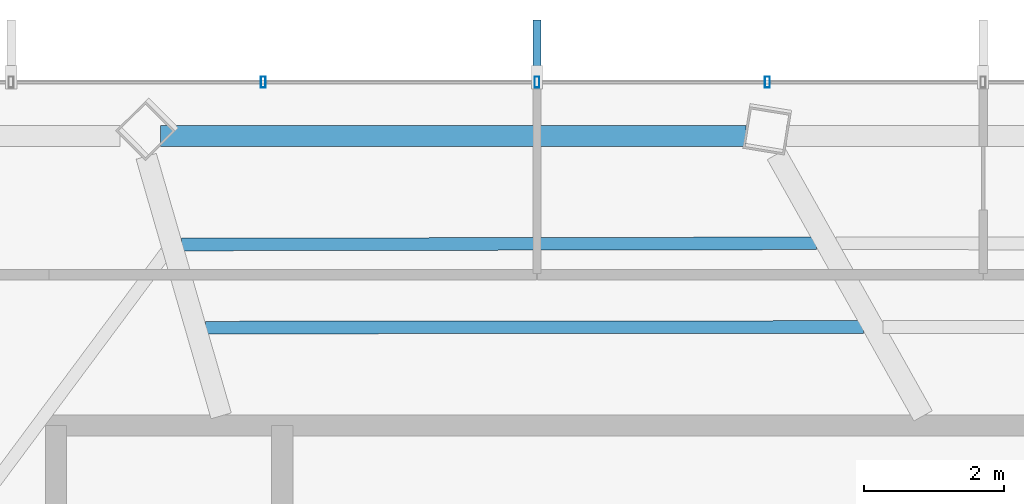
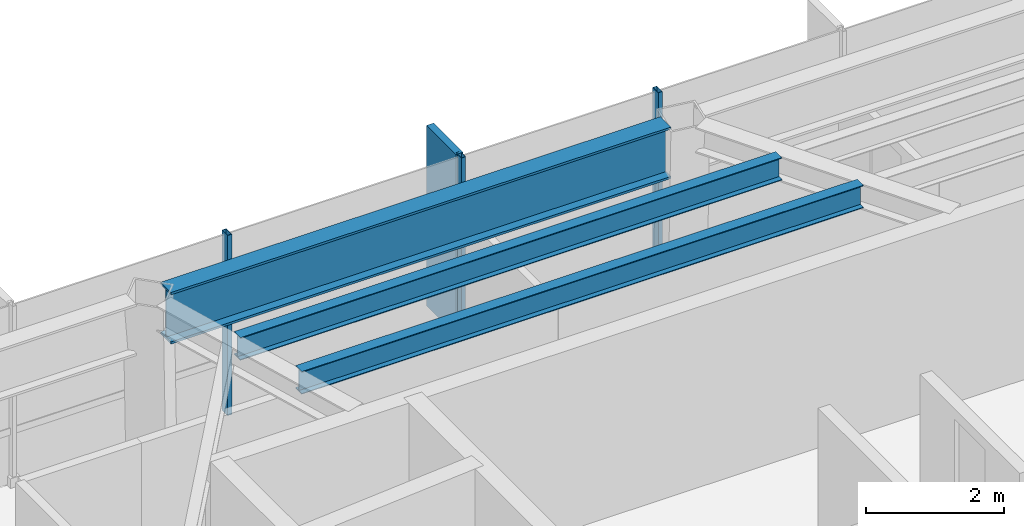
# One storey, part 14 of 27: 4 members, 3 beams, 1 element without a shape of its own.
"""IFC4 building model written with IfcOpenShell, lengths in metres."""

from ifc_helpers import new_model, si_unit, direction, frame, origin, origin_2d, place, context, subcontext, project, spatial, rectangle, hollow_rectangle, i_section, extrude, material, layer, layer_set, material_profile, profile_set, type_object, element, aggregate, save


model = new_model("IFC4")

# Units and contexts
model_context = context("Model", 3, precision=1e-05, world=origin(), true_north=direction((0.0, 1.0)))
body_context = subcontext(model_context, "Body", "Model", "MODEL_VIEW")
ifc_project = project(units=[si_unit("LENGTHUNIT", "METRE"), si_unit("AREAUNIT", "SQUARE_METRE"), si_unit("VOLUMEUNIT", "CUBIC_METRE"), si_unit("PLANEANGLEUNIT", "RADIAN"), si_unit("MASSUNIT", "GRAM", prefix="KILO")], contexts=[model_context])

# Site, building, storey
site_placement = place(None, origin())
site = spatial("IfcSite", under=ifc_project, at=site_placement, CompositionType="ELEMENT")
building_placement = place(site_placement, origin())
building = spatial("IfcBuilding", under=site, at=building_placement, Name="Zarrinselat Tower", CompositionType="ELEMENT")
storey_placement = place(building_placement, frame((0.0, 0.0, 225.760009765625)))
storey = spatial("IfcBuildingStorey", under=building, at=storey_placement, Name="L56", CompositionType="ELEMENT", Elevation=225.760009765625)

# Beams
ifc_material_1 = material(Name="Steel S460M", Category="steel")
ifc_material_profile_1 = material_profile(ifc_material_1, i_section(OverallWidth=0.302001953125, OverallDepth=0.909912109375, WebThickness=0.02099609375, FlangeThickness=0.0400390625, at=origin_2d()), Name="HEM 900")
ifc_profile_set_1 = profile_set([ifc_material_profile_1], Name="Steel S460M")
beam_type_1 = type_object("IfcBeamType", Name="BM-HEM900", PredefinedType="BEAM", material=ifc_profile_set_1)
beam_1_placement = place(storey_placement, frame((30.136962890625, 47.52783203125, 2.72509765625), z_axis=(1.0, 0.0, 0.0), x_axis=(0.0, 1.0, 0.0)))
element("IfcBeam", 1, at=beam_1_placement, inside=storey, type_object=beam_type_1, Name="L56 Perimeter Spandrel Girder SP03", PredefinedType="BEAM", context=body_context, shape_type="SweptSolid", body=[
    extrude(i_section(OverallWidth=0.302001953125, OverallDepth=0.909912109375, WebThickness=0.02099609375, FlangeThickness=0.0400390625, at=origin_2d()), origin(), (0.0, 0.0, 1.0), 8.33837890625),
])
ifc_material_2 = material(Name="Steel S355J2", Category="steel")
ifc_material_profile_2 = material_profile(ifc_material_2, i_section(OverallWidth=0.179931640625, OverallDepth=0.39990234375, WebThickness=0.008544921875, FlangeThickness=0.013427734375, at=origin_2d()), Name="IPE 400")
ifc_profile_set_2 = profile_set([ifc_material_profile_2], Name="Steel S355J2")
beam_type_2 = type_object("IfcBeamType", Name="BM-IPE400", PredefinedType="JOIST", material=ifc_profile_set_2)
beam_2_placement = place(storey_placement, frame((30.435546875, 45.980712890625, 2.97998046875), z_axis=(0.999998215301, 0.001889284367, 0.0), x_axis=(-0.001889284367, 0.999998215301, 0.0)))
element("IfcBeam", 2, at=beam_2_placement, inside=storey, type_object=beam_type_2, Name="L56 Composite Floor Joist 8-1", PredefinedType="JOIST", context=body_context, shape_type="SweptSolid", body=[
    extrude(i_section(OverallWidth=0.179931640625, OverallDepth=0.39990234375, WebThickness=0.008544921875, FlangeThickness=0.013427734375, at=origin_2d()), origin(), (0.0, 0.0, 1.0), 9.045654296875),
])
beam_3_placement = place(storey_placement, frame((30.777099609375, 44.79736328125, 2.97998046875), z_axis=(0.999999560341, 0.000937719366, 0.0), x_axis=(-0.000937719366, 0.999999560341, 0.0)))
element("IfcBeam", 3, at=beam_3_placement, inside=storey, type_object=beam_type_2, Name="L56 Composite Floor Joist 8-2", PredefinedType="JOIST", context=body_context, shape_type="SweptSolid", body=[
    extrude(i_section(OverallWidth=0.179931640625, OverallDepth=0.39990234375, WebThickness=0.008544921875, FlangeThickness=0.013427734375, at=origin_2d()), origin(), (0.0, 0.0, 1.0), 9.372802734375),
])

# Curtain wall, members
ifc_material_3 = material(Name="Extruded Aluminium Alloy EN AW-6063 T6", Category="aluminium")
ifc_layer = layer(ifc_material_3, 0.169921875)
ifc_layer_set = layer_set([ifc_layer], Name="Extruded Aluminium Alloy EN AW-6063 T6")
curtain_wall_type = type_object("IfcCurtainWallType", Name="CWS-RES", PredefinedType="NOTDEFINED", material=ifc_layer_set)
curtain_wall_placement = place(storey_placement, origin())
curtain_wall = element("IfcCurtainWall", 4, at=curtain_wall_placement, inside=storey, type_object=curtain_wall_type, Name="L56 Unitised Curtain Wall CW-L56-E01", PredefinedType="NOTDEFINED")
ifc_material_4 = material(Name="Extruded Aluminium Alloy EN AW-6063 T6", Category="aluminium")
ifc_material_profile_3 = material_profile(ifc_material_4, hollow_rectangle(XDim=0.070068359375, YDim=0.159912109375, WallThickness=0.00390625, at=origin_2d()), Name="RHS 160x70x4")
ifc_profile_set_3 = profile_set([ifc_material_profile_3], Name="Extruded Aluminium Alloy EN AW-6063 T6")
member_type_1 = type_object("IfcMemberType", Name="MEM-CW-MUL2", PredefinedType="MULLION", material=ifc_profile_set_3)
member_1_placement = place(storey_placement, frame((38.782470703125, 48.29443359375, 0.0), z_axis=(0.0, 0.0, 1.0), x_axis=(-1.0, 0.0, 0.0)))
member_1 = element("IfcMember", 5, at=member_1_placement, type_object=member_type_1, Name="CW-L56-E01 Mullion 6", PredefinedType="MULLION", context=body_context, shape_type="SweptSolid", body=[
    extrude(hollow_rectangle(XDim=0.070068359375, YDim=0.159912109375, WallThickness=0.00390625, at=origin_2d()), origin(), (0.0, 0.0, 1.0), 3.179931640625),
])
member_2_placement = place(storey_placement, frame((35.5, 48.29443359375, 0.0), z_axis=(0.0, 0.0, 1.0), x_axis=(-1.0, 0.0, 0.0)))
member_2 = element("IfcMember", 6, at=member_2_placement, type_object=member_type_1, Name="CW-L56-E01 Mullion 7", PredefinedType="MULLION", context=body_context, shape_type="SweptSolid", body=[
    extrude(hollow_rectangle(XDim=0.070068359375, YDim=0.159912109375, WallThickness=0.00390625, at=origin_2d()), origin(), (0.0, 0.0, 1.0), 3.179931640625),
])
member_3_placement = place(storey_placement, frame((31.599609375, 48.29443359375, 0.0), z_axis=(0.0, 0.0, 1.0), x_axis=(-1.0, 0.0, 0.0)))
member_3 = element("IfcMember", 7, at=member_3_placement, type_object=member_type_1, Name="CW-L56-E01 Mullion 8", PredefinedType="MULLION", context=body_context, shape_type="SweptSolid", body=[
    extrude(hollow_rectangle(XDim=0.070068359375, YDim=0.159912109375, WallThickness=0.00390625, at=origin_2d()), origin(), (0.0, 0.0, 1.0), 3.179931640625),
])
ifc_material_5 = material(Name="Honed Cream Travertine Stone", Category="masonry")
ifc_material_profile_4 = material_profile(ifc_material_5, rectangle(XDim=0.1201171875, YDim=0.85009765625, at=origin_2d()), Name="FIN 850x120")
ifc_profile_set_4 = profile_set([ifc_material_profile_4], Name="Honed Cream Travertine Stone")
member_type_2 = type_object("IfcMemberType", Name="MEM-STONE-FIN", PredefinedType="USERDEFINED", material=ifc_profile_set_4)
member_4_placement = place(storey_placement, frame((35.5, 48.75439453125, 0.0), z_axis=(0.0, 0.0, 1.0), x_axis=(1.0, 0.0, 0.0)))
member_4 = element("IfcMember", 8, at=member_4_placement, type_object=member_type_2, Name="L56 Stone Shading Fin CW-L56-E01-07", ObjectType="FIN", PredefinedType="USERDEFINED", context=body_context, shape_type="SweptSolid", body=[
    extrude(rectangle(XDim=0.1201171875, YDim=0.85009765625, at=origin_2d()), origin(), (0.0, 0.0, 1.0), 3.179931640625),
])
aggregate(curtain_wall, [member_1, member_2, member_4, member_3])

save(model, "model.ifc")
